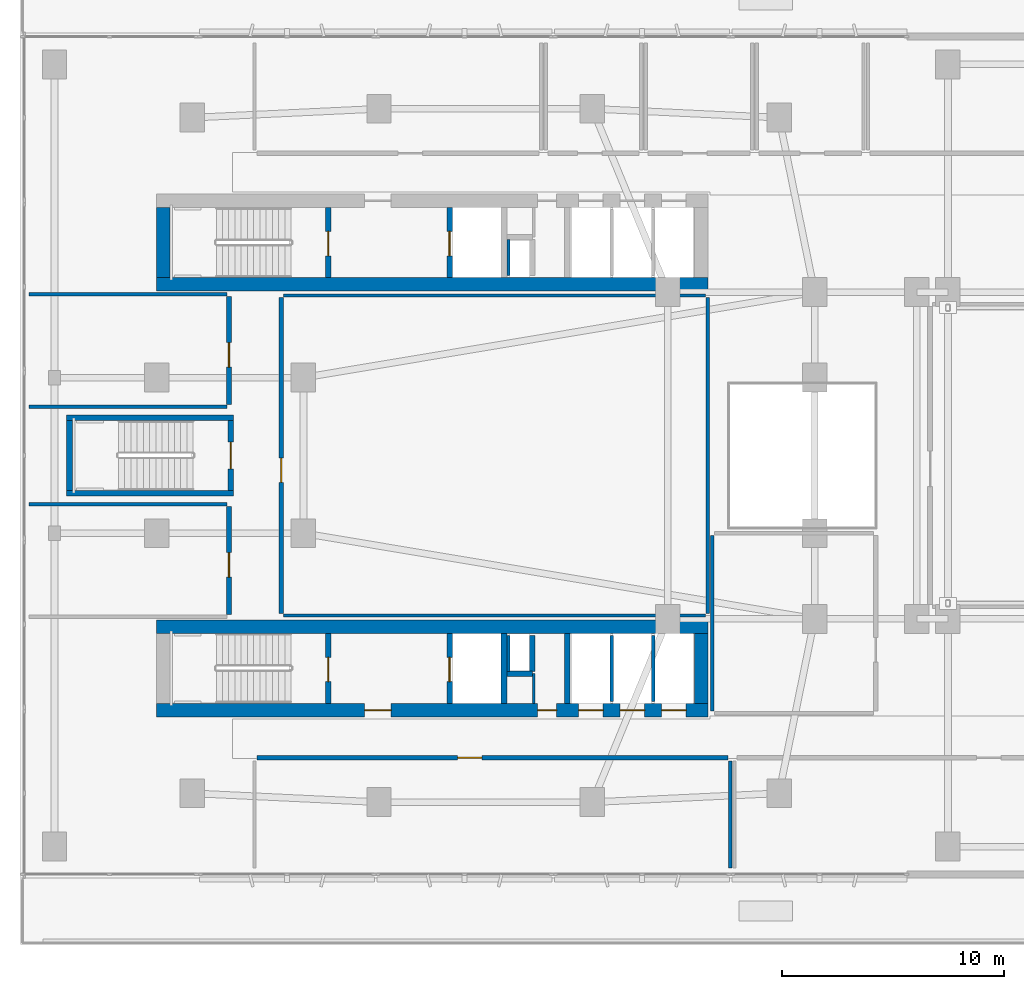
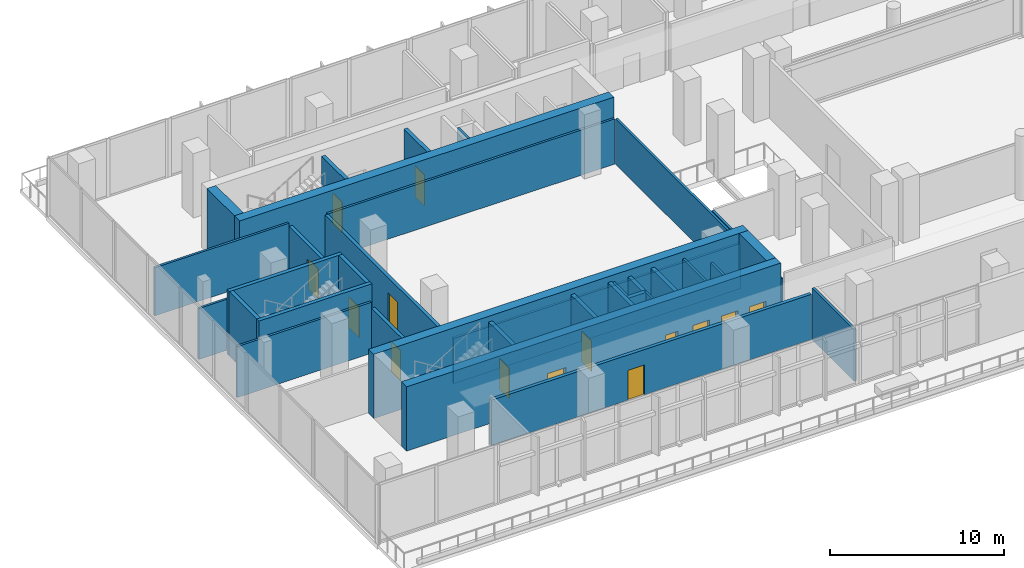
# One storey, part 13 of 31: 34 walls, 14 doors, 14 openings.
"""IFC4 building model written with IfcOpenShell, lengths in metres."""

from ifc_helpers import new_model, si_unit, derived_unit, direction, frame, frame_2d, origin, place, context, subcontext, project, spatial, rectangle, extrude, material, layer, layer_set, type_object, element, fill, save


model = new_model("IFC4")

# Units and contexts
model_context = context("Model", 3, precision=1e-05, world=origin(), true_north=direction((0.0, 1.0)))
body_context = subcontext(model_context, "Body", "Model", "MODEL_VIEW")
ifc_project = project(units=[si_unit("LENGTHUNIT", "METRE"), si_unit("AREAUNIT", "SQUARE_METRE"), si_unit("VOLUMEUNIT", "CUBIC_METRE"), si_unit("PLANEANGLEUNIT", "RADIAN"), si_unit("MASSUNIT", "GRAM", prefix="KILO"), derived_unit("THERMALTRANSMITTANCEUNIT", [(si_unit("POWERUNIT", "WATT"), 1), (si_unit("LENGTHUNIT", "METRE"), -2), (si_unit("THERMODYNAMICTEMPERATUREUNIT", "KELVIN"), -1)])], contexts=[model_context])

# Site, building, storey
site_placement = place(None, origin())
site = spatial("IfcSite", under=ifc_project, at=site_placement, CompositionType="ELEMENT")
building_placement = place(site_placement, origin())
building = spatial("IfcBuilding", under=site, at=building_placement, Name="Kivonza Crest Hotel", CompositionType="ELEMENT")
storey_placement = place(building_placement, frame((0.0, 0.0, 15.0)))
storey = spatial("IfcBuildingStorey", under=building, at=storey_placement, Name="L03", CompositionType="ELEMENT", Elevation=15.0)

# Wall, opening, door
ifc_material_1 = material(Name="Autoclaved aerated concrete blockwork", Category="masonry")
ifc_layer_1 = layer(ifc_material_1, 0.219970703125)
ifc_layer_set_1 = layer_set([ifc_layer_1], Name="Autoclaved aerated concrete blockwork")
wall_type_1 = type_object("IfcWallType", Name="WL-ACOU-220", PredefinedType="SOLIDWALL", material=ifc_layer_set_1)
wall_1_placement = place(storey_placement, frame((11.800048828125, 17.89990234375, 0.0), z_axis=(0.0, 0.0, 1.0), x_axis=(0.0, 1.0, 0.0)))
wall_1 = element("IfcWall", 1, at=wall_1_placement, inside=storey, type_object=wall_type_1, Name="L03 interior partition WA-L03-CONF-A-W", PredefinedType="SOLIDWALL", context=body_context, shape_type="SweptSolid", body=[
    extrude(rectangle(XDim=14.2001953125, YDim=0.219970703125, at=frame_2d((7.10009765625, 0.0))), origin(), (0.0, 0.0, 1.0), 3.175048828125),
])
opening_1_placement = place(wall_1_placement, frame((5.885009765625, 0.0, 0.0)))
opening_1 = element("IfcOpeningElement", 2, at=opening_1_placement, cuts=wall_1, Name="Opening DF-60M", PredefinedType="OPENING", context=body_context, shape_type="SweptSolid", body=[
    extrude(rectangle(XDim=1.10009765625, YDim=2.10009765625, at=frame_2d((0.550048828125, 1.050048828125))), frame((0.0, 0.1201171875, 0.0), z_axis=(0.0, -1.0, 0.0), x_axis=(1.0, 0.0, 0.0)), (0.0, 0.0, 1.0), 0.239990234375),
])
ifc_material_2 = material(Name="Hardwood timber oak", Category="wood")
door_type_1 = type_object("IfcDoorType", Name="DR-FD60-1100", OperationType="NOTDEFINED", PredefinedType="DOOR", material=ifc_material_2)
door_1_placement = place(opening_1_placement, frame((1.10009765625, 0.0, 0.0), z_axis=(0.0, 0.0, 1.0), x_axis=(-1.0, 0.0, 0.0)))
door_1 = element("IfcDoor", 3, at=door_1_placement, inside=storey, type_object=door_type_1, Name="L03 Conference Room A door", OperationType="SINGLE_SWING_LEFT", OverallHeight=2.10009765625, OverallWidth=1.10009765625, PredefinedType="DOOR", context=body_context, shape_type="SweptSolid", body=[
    extrude(rectangle(XDim=1.10009765625, YDim=2.10009765625, at=frame_2d((0.550048828125, 1.050048828125))), frame((0.0, 0.02490234375, 0.0), z_axis=(0.0, -1.0, 0.0), x_axis=(1.0, 0.0, 0.0)), (0.0, 0.0, 1.0), 0.050048828125),
])
fill(opening_1, door_1)

wall_2_placement = place(storey_placement, frame((10.699951171875, 11.39990234375, 0.0), z_axis=(0.0, 0.0, 1.0), x_axis=(1.0, 0.0, 0.0)))
wall_2 = element("IfcWall", 4, at=wall_2_placement, inside=storey, type_object=wall_type_1, Name="L03 interior partition WA-L03-BRD-1-N", PredefinedType="SOLIDWALL", context=body_context, shape_type="SweptSolid", body=[
    extrude(rectangle(XDim=21.199951171875, YDim=0.219970703125, at=frame_2d((10.60009765625, 0.0))), origin(), (0.0, 0.0, 1.0), 3.175048828125),
])
opening_2_placement = place(wall_2_placement, frame((9.034912109375, 0.0, 0.0)))
opening_2 = element("IfcOpeningElement", 5, at=opening_2_placement, cuts=wall_2, Name="Opening DF-60M", PredefinedType="OPENING", context=body_context, shape_type="SweptSolid", body=[
    extrude(rectangle(XDim=1.10009765625, YDim=2.10009765625, at=frame_2d((0.550048828125, 1.050048828125))), frame((0.0, 0.1201171875, 0.0), z_axis=(0.0, -1.0, 0.0), x_axis=(1.0, 0.0, 0.0)), (0.0, 0.0, 1.0), 0.239990234375),
])
door_2_placement = place(opening_2_placement, frame((1.10009765625, 0.0, 0.0), z_axis=(0.0, 0.0, 1.0), x_axis=(-1.0, 0.0, 0.0)))
door_2 = element("IfcDoor", 6, at=door_2_placement, inside=storey, type_object=door_type_1, Name="L03 Executive Summit Boardroom door", OperationType="SINGLE_SWING_LEFT", OverallHeight=2.10009765625, OverallWidth=1.10009765625, PredefinedType="DOOR", context=body_context, shape_type="SweptSolid", body=[
    extrude(rectangle(XDim=1.10009765625, YDim=2.10009765625, at=frame_2d((0.550048828125, 1.050048828125))), frame((0.0, 0.02490234375, 0.0), z_axis=(0.0, -1.0, 0.0), x_axis=(1.0, 0.0, 0.0)), (0.0, 0.0, 1.0), 0.050048828125),
])
fill(opening_2, door_2)

wall_3_placement = place(storey_placement, frame((9.449951171875, 17.85009765625, 0.0), z_axis=(0.0, 0.0, 1.0), x_axis=(0.0, 1.0, 0.0)))
wall_3 = element("IfcWall", 7, at=wall_3_placement, inside=storey, type_object=wall_type_1, Name="L03 interior partition WA-L03-W-SEM3S-E", PredefinedType="SOLIDWALL", context=body_context, shape_type="SweptSolid", body=[
    extrude(rectangle(XDim=4.849853515625, YDim=0.219970703125, at=frame_2d((2.4248046875, 0.0))), origin(), (0.0, 0.0, 1.0), 3.175048828125),
])
opening_3_placement = place(wall_3_placement, frame((1.677978515625, 0.0, 0.0)))
opening_3 = element("IfcOpeningElement", 8, at=opening_3_placement, cuts=wall_3, Name="Opening DF-60M", PredefinedType="OPENING", context=body_context, shape_type="SweptSolid", body=[
    extrude(rectangle(XDim=1.10009765625, YDim=2.10009765625, at=frame_2d((0.550048828125, 1.050048828125))), frame((0.0, 0.1201171875, 0.0), z_axis=(0.0, -1.0, 0.0), x_axis=(1.0, 0.0, 0.0)), (0.0, 0.0, 1.0), 0.239990234375),
])
door_3_placement = place(opening_3_placement, origin())
door_3 = element("IfcDoor", 9, at=door_3_placement, inside=storey, type_object=door_type_1, Name="L03 West Syndicate Room Alpha door", OperationType="SINGLE_SWING_RIGHT", OverallHeight=2.10009765625, OverallWidth=1.10009765625, PredefinedType="DOOR", context=body_context, shape_type="SweptSolid", body=[
    extrude(rectangle(XDim=1.10009765625, YDim=2.10009765625, at=frame_2d((0.550048828125, 1.050048828125))), frame((0.0, 0.02490234375, 0.0), z_axis=(0.0, -1.0, 0.0), x_axis=(1.0, 0.0, 0.0)), (0.0, 0.0, 1.0), 0.050048828125),
])
fill(opening_3, door_3)

wall_4_placement = place(storey_placement, frame((9.449951171875, 27.300048828125, 0.0), z_axis=(0.0, 0.0, 1.0), x_axis=(0.0, 1.0, 0.0)))
wall_4 = element("IfcWall", 10, at=wall_4_placement, inside=storey, type_object=wall_type_1, Name="L03 interior partition WA-L03-W-SEM3N-E", PredefinedType="SOLIDWALL", context=body_context, shape_type="SweptSolid", body=[
    extrude(rectangle(XDim=4.849853515625, YDim=0.219970703125, at=frame_2d((2.4248046875, 0.0))), origin(), (0.0, 0.0, 1.0), 3.175048828125),
])
opening_4_placement = place(wall_4_placement, frame((1.677978515625, 0.0, 0.0)))
opening_4 = element("IfcOpeningElement", 11, at=opening_4_placement, cuts=wall_4, Name="Opening DF-60M", PredefinedType="OPENING", context=body_context, shape_type="SweptSolid", body=[
    extrude(rectangle(XDim=1.10009765625, YDim=2.10009765625, at=frame_2d((0.550048828125, 1.050048828125))), frame((0.0, 0.1201171875, 0.0), z_axis=(0.0, -1.0, 0.0), x_axis=(1.0, 0.0, 0.0)), (0.0, 0.0, 1.0), 0.239990234375),
])
door_4_placement = place(opening_4_placement, origin())
door_4 = element("IfcDoor", 12, at=door_4_placement, inside=storey, type_object=door_type_1, Name="L03 West Syndicate Room Beta door", OperationType="SINGLE_SWING_LEFT", OverallHeight=2.10009765625, OverallWidth=1.10009765625, PredefinedType="DOOR", context=body_context, shape_type="SweptSolid", body=[
    extrude(rectangle(XDim=1.10009765625, YDim=2.10009765625, at=frame_2d((0.550048828125, 1.050048828125))), frame((0.0, 0.02490234375, 0.0), z_axis=(0.0, -1.0, 0.0), x_axis=(1.0, 0.0, 0.0)), (0.0, 0.0, 1.0), 0.050048828125),
])
fill(opening_4, door_4)

# Walls
ifc_material_3 = material(Name="Concrete C60/75", Category="concrete")
ifc_layer_2 = layer(ifc_material_3, 0.60009765625)
ifc_layer_set_2 = layer_set([ifc_layer_2], Name="Concrete C60/75")
wall_type_2 = type_object("IfcWallType", Name="WL-CORE-600", PredefinedType="SHEAR", material=ifc_layer_set_2)
wall_5_placement = place(storey_placement, frame((6.199951171875, 32.699951171875, 0.0), z_axis=(0.0, 0.0, 1.0), x_axis=(1.0, 0.0, 0.0)))
element("IfcWall", 13, at=wall_5_placement, inside=storey, type_object=wall_type_2, Name="Core wall T1-N South L03", PredefinedType="SHEAR", context=body_context, shape_type="SweptSolid", body=[
    extrude(rectangle(XDim=24.800048828125, YDim=0.60009765625, at=frame_2d((12.39990234375, 0.0))), origin(), (0.0, 0.0, 1.0), 4.5),
])
wall_6_placement = place(storey_placement, frame((6.5, 33.0, 0.0), z_axis=(0.0, 0.0, 1.0), x_axis=(0.0, 1.0, 0.0)))
element("IfcWall", 14, at=wall_6_placement, inside=storey, type_object=wall_type_2, Name="Core wall T1-N West L03", PredefinedType="SHEAR", context=body_context, shape_type="SweptSolid", body=[
    extrude(rectangle(XDim=3.159912109375, YDim=0.60009765625, at=frame_2d((1.580078125, 0.0))), origin(), (0.0, 0.0, 1.0), 4.5),
])

# Wall, openings, doors
wall_7_placement = place(storey_placement, frame((6.199951171875, 13.5400390625, 0.0), z_axis=(0.0, 0.0, 1.0), x_axis=(1.0, 0.0, 0.0)))
wall_7 = element("IfcWall", 15, at=wall_7_placement, inside=storey, type_object=wall_type_2, Name="Core wall T1-S South L03", PredefinedType="SHEAR", context=body_context, shape_type="SweptSolid", body=[
    extrude(rectangle(XDim=24.800048828125, YDim=0.60009765625, at=frame_2d((12.39990234375, 0.0))), origin(), (0.0, 0.0, 1.0), 4.5),
])
opening_5_placement = place(wall_7_placement, frame((9.35009765625, 0.0, 0.0)))
opening_5 = element("IfcOpeningElement", 16, at=opening_5_placement, cuts=wall_7, Name="Opening DF-60", PredefinedType="OPENING", context=body_context, shape_type="SweptSolid", body=[
    extrude(rectangle(XDim=1.199951171875, YDim=2.14990234375, at=frame_2d((0.60009765625, 1.074951171875))), frame((0.0, 0.31005859375, 0.0), z_axis=(0.0, -1.0, 0.0), x_axis=(1.0, 0.0, 0.0)), (0.0, 0.0, 1.0), 0.6201171875),
])
opening_6_placement = place(wall_7_placement, frame((17.139892578125, 0.0, 0.0)))
opening_6 = element("IfcOpeningElement", 17, at=opening_6_placement, cuts=wall_7, Name="Opening DF-60R", PredefinedType="OPENING", context=body_context, shape_type="SweptSolid", body=[
    extrude(rectangle(XDim=0.85009765625, YDim=2.10009765625, at=frame_2d((0.425048828125, 1.050048828125))), frame((0.0, 0.31005859375, 0.0), z_axis=(0.0, -1.0, 0.0), x_axis=(1.0, 0.0, 0.0)), (0.0, 0.0, 1.0), 0.6201171875),
])
opening_7_placement = place(wall_7_placement, frame((18.98291015625, 0.0, 0.0)))
opening_7 = element("IfcOpeningElement", 18, at=opening_7_placement, cuts=wall_7, Name="Opening LD-120", PredefinedType="OPENING", context=body_context, shape_type="SweptSolid", body=[
    extrude(rectangle(XDim=1.10009765625, YDim=2.14990234375, at=frame_2d((0.550048828125, 1.074951171875))), frame((0.0, 0.31005859375, 0.0), z_axis=(0.0, -1.0, 0.0), x_axis=(1.0, 0.0, 0.0)), (0.0, 0.0, 1.0), 0.6201171875),
])
opening_8_placement = place(wall_7_placement, frame((20.85009765625, 0.0, 0.0)))
opening_8 = element("IfcOpeningElement", 19, at=opening_8_placement, cuts=wall_7, Name="Opening LD-120", PredefinedType="OPENING", context=body_context, shape_type="SweptSolid", body=[
    extrude(rectangle(XDim=1.10009765625, YDim=2.14990234375, at=frame_2d((0.550048828125, 1.074951171875))), frame((0.0, 0.31005859375, 0.0), z_axis=(0.0, -1.0, 0.0), x_axis=(1.0, 0.0, 0.0)), (0.0, 0.0, 1.0), 0.6201171875),
])
opening_9_placement = place(wall_7_placement, frame((22.716064453125, 0.0, 0.0)))
opening_9 = element("IfcOpeningElement", 20, at=opening_9_placement, cuts=wall_7, Name="Opening LD-120", PredefinedType="OPENING", context=body_context, shape_type="SweptSolid", body=[
    extrude(rectangle(XDim=1.10009765625, YDim=2.14990234375, at=frame_2d((0.550048828125, 1.074951171875))), frame((0.0, 0.31005859375, 0.0), z_axis=(0.0, -1.0, 0.0), x_axis=(1.0, 0.0, 0.0)), (0.0, 0.0, 1.0), 0.6201171875),
])
door_type_2 = type_object("IfcDoorType", Name="DR-FD60-1200", OperationType="NOTDEFINED", PredefinedType="DOOR", material=ifc_material_2)
door_5_placement = place(opening_5_placement, frame((1.199951171875, 0.0, 0.0), z_axis=(0.0, 0.0, 1.0), x_axis=(-1.0, 0.0, 0.0)))
door_5 = element("IfcDoor", 21, at=door_5_placement, inside=storey, type_object=door_type_2, Name="L03 T1-S firefighting lobby fire door", OperationType="SINGLE_SWING_LEFT", OverallHeight=2.14990234375, OverallWidth=1.199951171875, PredefinedType="DOOR", context=body_context, shape_type="SweptSolid", body=[
    extrude(rectangle(XDim=1.199951171875, YDim=2.14990234375, at=frame_2d((0.60009765625, 1.074951171875))), frame((0.0, 0.02490234375, 0.0), z_axis=(0.0, -1.0, 0.0), x_axis=(1.0, 0.0, 0.0)), (0.0, 0.0, 1.0), 0.050048828125),
])
fill(opening_5, door_5)
door_type_3 = type_object("IfcDoorType", Name="DR-FD60-850", OperationType="NOTDEFINED", PredefinedType="DOOR", material=ifc_material_2)
door_6_placement = place(opening_6_placement, frame((0.85009765625, 0.0, 0.0), z_axis=(0.0, 0.0, 1.0), x_axis=(-1.0, 0.0, 0.0)))
door_6 = element("IfcDoor", 22, at=door_6_placement, inside=storey, type_object=door_type_3, Name="L03 T1-S core room door", OperationType="SINGLE_SWING_RIGHT", OverallHeight=2.10009765625, OverallWidth=0.85009765625, PredefinedType="DOOR", context=body_context, shape_type="SweptSolid", body=[
    extrude(rectangle(XDim=0.85009765625, YDim=2.10009765625, at=frame_2d((0.425048828125, 1.050048828125))), frame((0.0, 0.02490234375, 0.0), z_axis=(0.0, -1.0, 0.0), x_axis=(1.0, 0.0, 0.0)), (0.0, 0.0, 1.0), 0.050048828125),
])
fill(opening_6, door_6)
ifc_material_4 = material(Name="Stainless steel", Category="steel")
door_type_4 = type_object("IfcDoorType", Name="DR-LD120-1100", OperationType="NOTDEFINED", PredefinedType="DOOR", material=ifc_material_4)
door_7_placement = place(opening_7_placement, frame((1.10009765625, 0.0, 0.0), z_axis=(0.0, 0.0, 1.0), x_axis=(-1.0, 0.0, 0.0)))
door_7 = element("IfcDoor", 23, at=door_7_placement, inside=storey, type_object=door_type_4, Name="L03 PL-T1-H1 passenger lift sliding landing door", OperationType="DOUBLE_DOOR_SLIDING", OverallHeight=2.14990234375, OverallWidth=1.10009765625, PredefinedType="DOOR", context=body_context, shape_type="SweptSolid", body=[
    extrude(rectangle(XDim=1.10009765625, YDim=2.14990234375, at=frame_2d((0.550048828125, 1.074951171875))), frame((0.0, 0.02490234375, 0.0), z_axis=(0.0, -1.0, 0.0), x_axis=(1.0, 0.0, 0.0)), (0.0, 0.0, 1.0), 0.050048828125),
])
fill(opening_7, door_7)
door_8_placement = place(opening_8_placement, frame((1.10009765625, 0.0, 0.0), z_axis=(0.0, 0.0, 1.0), x_axis=(-1.0, 0.0, 0.0)))
door_8 = element("IfcDoor", 24, at=door_8_placement, inside=storey, type_object=door_type_4, Name="L03 PL-T1-H2 passenger lift sliding landing door", OperationType="DOUBLE_DOOR_SLIDING", OverallHeight=2.14990234375, OverallWidth=1.10009765625, PredefinedType="DOOR", context=body_context, shape_type="SweptSolid", body=[
    extrude(rectangle(XDim=1.10009765625, YDim=2.14990234375, at=frame_2d((0.550048828125, 1.074951171875))), frame((0.0, 0.02490234375, 0.0), z_axis=(0.0, -1.0, 0.0), x_axis=(1.0, 0.0, 0.0)), (0.0, 0.0, 1.0), 0.050048828125),
])
fill(opening_8, door_8)
door_9_placement = place(opening_9_placement, frame((1.10009765625, 0.0, 0.0), z_axis=(0.0, 0.0, 1.0), x_axis=(-1.0, 0.0, 0.0)))
door_9 = element("IfcDoor", 25, at=door_9_placement, inside=storey, type_object=door_type_4, Name="L03 PL-T1-H3 passenger lift sliding landing door", OperationType="DOUBLE_DOOR_SLIDING", OverallHeight=2.14990234375, OverallWidth=1.10009765625, PredefinedType="DOOR", context=body_context, shape_type="SweptSolid", body=[
    extrude(rectangle(XDim=1.10009765625, YDim=2.14990234375, at=frame_2d((0.550048828125, 1.074951171875))), frame((0.0, 0.02490234375, 0.0), z_axis=(0.0, -1.0, 0.0), x_axis=(1.0, 0.0, 0.0)), (0.0, 0.0, 1.0), 0.050048828125),
])
fill(opening_9, door_9)

# Walls
wall_8_placement = place(storey_placement, frame((6.199951171875, 17.300048828125, 0.0), z_axis=(0.0, 0.0, 1.0), x_axis=(1.0, 0.0, 0.0)))
element("IfcWall", 26, at=wall_8_placement, inside=storey, type_object=wall_type_2, Name="Core wall T1-S North L03", PredefinedType="SHEAR", context=body_context, shape_type="SweptSolid", body=[
    extrude(rectangle(XDim=24.800048828125, YDim=0.60009765625, at=frame_2d((12.39990234375, 0.0))), origin(), (0.0, 0.0, 1.0), 4.5),
])
wall_9_placement = place(storey_placement, frame((30.699951171875, 13.840087890625, 0.0), z_axis=(0.0, 0.0, 1.0), x_axis=(0.0, 1.0, 0.0)))
element("IfcWall", 27, at=wall_9_placement, inside=storey, type_object=wall_type_2, Name="Core wall T1-S East L03", PredefinedType="SHEAR", context=body_context, shape_type="SweptSolid", body=[
    extrude(rectangle(XDim=3.159912109375, YDim=0.60009765625, at=frame_2d((1.580078125, 0.0))), origin(), (0.0, 0.0, 1.0), 4.5),
])
ifc_material_5 = material(Name="Concrete blockwork fire-compartment wall", Category="masonry")
ifc_layer_3 = layer(ifc_material_5, 0.25)
ifc_layer_set_3 = layer_set([ifc_layer_3], Name="Concrete blockwork fire-compartment wall")
wall_type_3 = type_object("IfcWallType", Name="WL-FIRE-250", PredefinedType="SOLIDWALL", material=ifc_layer_set_3)
wall_10_placement = place(storey_placement, frame((23.10009765625, 15.280029296875, 0.0), z_axis=(0.0, 0.0, 1.0), x_axis=(0.0, 1.0, 0.0)))
element("IfcWall", 28, at=wall_10_placement, inside=storey, type_object=wall_type_3, Name="L03 interior partition WA-L03-T1-S-MEPR-E", PredefinedType="SOLIDWALL", context=body_context, shape_type="SweptSolid", body=[
    extrude(rectangle(XDim=1.619873046875, YDim=0.25, at=frame_2d((0.81005859375, 0.0))), origin(), (0.0, 0.0, 1.0), 4.10009765625),
])
wall_11_placement = place(storey_placement, frame((21.949951171875, 15.179931640625, 0.0), z_axis=(0.0, 0.0, 1.0), x_axis=(1.0, 0.0, 0.0)))
element("IfcWall", 29, at=wall_11_placement, inside=storey, type_object=wall_type_3, Name="L03 interior partition WA-L03-T1-S-MEPR-H", PredefinedType="SOLIDWALL", context=body_context, shape_type="SweptSolid", body=[
    extrude(rectangle(XDim=1.150146484375, YDim=0.25, at=frame_2d((0.5751953125, 0.0))), origin(), (0.0, 0.0, 1.0), 4.10009765625),
])
ifc_material_6 = material(Name="Metal-stud gypsum board partition", Category="gypsum")
ifc_layer_4 = layer(ifc_material_6, 0.125)
ifc_layer_set_4 = layer_set([ifc_layer_4], Name="Metal-stud gypsum board partition")
wall_type_4 = type_object("IfcWallType", Name="WL-PART-125", PredefinedType="PARTITIONING", material=ifc_layer_set_4)
wall_12_placement = place(storey_placement, frame((23.159912109375, 13.840087890625, 0.0), z_axis=(0.0, 0.0, 1.0), x_axis=(0.0, 1.0, 0.0)))
element("IfcWall", 30, at=wall_12_placement, inside=storey, type_object=wall_type_4, Name="L03 interior partition WP-L03-T1-S-SV1V", PredefinedType="PARTITIONING", context=body_context, shape_type="SweptSolid", body=[
    extrude(rectangle(XDim=1.33984375, YDim=0.125, at=frame_2d((0.669921875, 0.0))), origin(), (0.0, 0.0, 1.0), 4.10009765625),
])
ifc_material_7 = material(Name="Twin-stud acoustic gypsum board partition", Category="gypsum")
ifc_layer_5 = layer(ifc_material_7, 0.14990234375)
ifc_layer_set_5 = layer_set([ifc_layer_5], Name="Twin-stud acoustic gypsum board partition")
wall_type_5 = type_object("IfcWallType", Name="WL-PART-150", PredefinedType="PARTITIONING", material=ifc_layer_set_5)
for number, where, z_axis, x_axis, name in (
    (31, (22.030029296875, 33.10009765625, 0.0), (0.0, 0.0, 1.0), (0.0, 1.0, 0.0), "L03 interior partition WA-L03-T1-N-MEPR-W"),
    (32, (22.030029296875, 15.280029296875, 0.0), (0.0, 0.0, 1.0), (0.0, 1.0, 0.0), "L03 interior partition WA-L03-T1-S-MEPR-W"),
):
    element("IfcWall", number, at=place(storey_placement, frame(where, z_axis=z_axis, x_axis=x_axis)), inside=storey, type_object=wall_type_5, Name=name, PredefinedType="PARTITIONING", context=body_context, shape_type="SweptSolid", body=[
        extrude(rectangle(XDim=1.619873046875, YDim=0.14990234375, at=frame_2d((0.81005859375, 0.0))), origin(), (0.0, 0.0, 1.0), 4.10009765625),
    ])
wall_13_placement = place(storey_placement, frame((26.6669921875, 13.93994140625, 0.0), z_axis=(0.0, 0.0, 1.0), x_axis=(0.0, 1.0, 0.0)))
element("IfcWall", 33, at=wall_13_placement, inside=storey, type_object=wall_type_5, Name="L03 interior partition WP-L03-T1-S-BSH-1", PredefinedType="PARTITIONING", context=body_context, shape_type="SweptSolid", body=[
    extrude(rectangle(XDim=2.9599609375, YDim=0.14990234375, at=frame_2d((1.47998046875, 0.0))), origin(), (0.0, 0.0, 1.0), 4.10009765625),
])
wall_14_placement = place(storey_placement, frame((28.532958984375, 13.93994140625, 0.0), z_axis=(0.0, 0.0, 1.0), x_axis=(0.0, 1.0, 0.0)))
element("IfcWall", 34, at=wall_14_placement, inside=storey, type_object=wall_type_5, Name="L03 interior partition WP-L03-T1-S-BSH-2", PredefinedType="PARTITIONING", context=body_context, shape_type="SweptSolid", body=[
    extrude(rectangle(XDim=2.9599609375, YDim=0.14990234375, at=frame_2d((1.47998046875, 0.0))), origin(), (0.0, 0.0, 1.0), 3.175048828125),
])
wall_15_placement = place(storey_placement, frame((31.0, 17.89990234375, 0.0), z_axis=(0.0, 0.0, 1.0), x_axis=(0.0, 1.0, 0.0)))
element("IfcWall", 35, at=wall_15_placement, inside=storey, type_object=wall_type_5, Name="L03 interior partition WP-L03-CONF-A-BE", PredefinedType="PARTITIONING", context=body_context, shape_type="SweptSolid", body=[
    extrude(rectangle(XDim=14.2001953125, YDim=0.14990234375, at=frame_2d((7.10009765625, 0.0))), origin(), (0.0, 0.0, 1.0), 3.175048828125),
])
for number, where, z_axis, x_axis, name in (
    (36, (11.89990234375, 17.800048828125, 0.0), (0.0, 0.0, 1.0), (1.0, 0.0, 0.0), "L03 interior partition WP-L03-CONF-A-BS"),
    (37, (11.89990234375, 32.199951171875, 0.0), (0.0, 0.0, 1.0), (1.0, 0.0, 0.0), "L03 interior partition WP-L03-CONF-A-BN"),
):
    element("IfcWall", number, at=place(storey_placement, frame(where, z_axis=z_axis, x_axis=x_axis)), inside=storey, type_object=wall_type_5, Name=name, PredefinedType="PARTITIONING", context=body_context, shape_type="SweptSolid", body=[
        extrude(rectangle(XDim=19.0, YDim=0.14990234375, at=frame_2d((9.5, 0.0))), origin(), (0.0, 0.0, 1.0), 3.175048828125),
    ])
wall_16_placement = place(storey_placement, frame((31.199951171875, 13.5, 0.0), z_axis=(0.0, 0.0, 1.0), x_axis=(0.0, 1.0, 0.0)))
element("IfcWall", 38, at=wall_16_placement, inside=storey, type_object=wall_type_5, Name="L03 interior partition WP-L03-CONF-B-BW", PredefinedType="PARTITIONING", context=body_context, shape_type="SweptSolid", body=[
    extrude(rectangle(XDim=7.89990234375, YDim=0.14990234375, at=frame_2d((3.949951171875, 0.0))), origin(), (0.0, 0.0, 1.0), 3.175048828125),
])
wall_17_placement = place(storey_placement, frame((32.0, 6.449951171875, 0.0), z_axis=(0.0, 0.0, 1.0), x_axis=(0.0, 1.0, 0.0)))
element("IfcWall", 39, at=wall_17_placement, inside=storey, type_object=wall_type_5, Name="L03 interior partition WP-L03-BRD-1-BE", PredefinedType="PARTITIONING", context=body_context, shape_type="SweptSolid", body=[
    extrude(rectangle(XDim=4.800048828125, YDim=0.14990234375, at=frame_2d((2.39990234375, 0.0))), origin(), (0.0, 0.0, 1.0), 3.625),
])
for number, where, z_axis, x_axis, name in (
    (40, (0.449951171875, 22.800048828125, 0.0), (0.0, 0.0, 1.0), (1.0, 0.0, 0.0), "L03 interior partition WP-L03-W-SEM3S-BN"),
    (41, (0.449951171875, 27.199951171875, 0.0), (0.0, 0.0, 1.0), (1.0, 0.0, 0.0), "L03 interior partition WP-L03-W-SEM3N-BS"),
):
    element("IfcWall", number, at=place(storey_placement, frame(where, z_axis=z_axis, x_axis=x_axis)), inside=storey, type_object=wall_type_5, Name=name, PredefinedType="PARTITIONING", context=body_context, shape_type="SweptSolid", body=[
        extrude(rectangle(XDim=8.900146484375, YDim=0.14990234375, at=frame_2d((4.4501953125, 0.0))), origin(), (0.0, 0.0, 1.0), 3.574951171875),
    ])
wall_18_placement = place(storey_placement, frame((0.449951171875, 32.25, 0.0), z_axis=(0.0, 0.0, 1.0), x_axis=(1.0, 0.0, 0.0)))
element("IfcWall", 42, at=wall_18_placement, inside=storey, type_object=wall_type_5, Name="L03 interior partition WP-L03-W-SEM3N-BN", PredefinedType="PARTITIONING", context=body_context, shape_type="SweptSolid", body=[
    extrude(rectangle(XDim=8.900146484375, YDim=0.14990234375, at=frame_2d((4.4501953125, 0.0))), origin(), (0.0, 0.0, 1.0), 3.375),
])

# Wall, opening, door
ifc_material_8 = material(Name="Concrete C50/60", Category="concrete")
ifc_layer_6 = layer(ifc_material_8, 0.25)
ifc_layer_set_6 = layer_set([ifc_layer_6], Name="Concrete C50/60")
wall_type_6 = type_object("IfcWallType", Name="WL-SHAFT-250", PredefinedType="STANDARD", material=ifc_layer_set_6)
wall_19_placement = place(storey_placement, frame((13.925048828125, 33.0, 0.0), z_axis=(0.0, 0.0, 1.0), x_axis=(0.0, 1.0, 0.0)))
wall_19 = element("IfcWall", 43, at=wall_19_placement, inside=storey, type_object=wall_type_6, Name="Core shaft wall T1-N STAIR L03", PredefinedType="STANDARD", context=body_context, shape_type="SweptSolid", body=[
    extrude(rectangle(XDim=3.159912109375, YDim=0.25, at=frame_2d((1.580078125, 0.0))), origin(), (0.0, 0.0, 1.0), 4.10009765625),
])
opening_10_placement = place(wall_19_placement, frame((0.97998046875, 0.0, 0.0)))
opening_10 = element("IfcOpeningElement", 44, at=opening_10_placement, cuts=wall_19, Name="Opening DF-120", PredefinedType="OPENING", context=body_context, shape_type="SweptSolid", body=[
    extrude(rectangle(XDim=1.10009765625, YDim=2.14990234375, at=frame_2d((0.550048828125, 1.074951171875))), frame((0.0, 0.135009765625, 0.0), z_axis=(0.0, -1.0, 0.0), x_axis=(1.0, 0.0, 0.0)), (0.0, 0.0, 1.0), 0.27001953125),
])
ifc_material_9 = material(Name="Galvanised steel", Category="steel")
door_type_5 = type_object("IfcDoorType", Name="DR-FD120-1100", OperationType="NOTDEFINED", PredefinedType="DOOR", material=ifc_material_9)
door_10_placement = place(opening_10_placement, frame((1.10009765625, 0.0, 0.0), z_axis=(0.0, 0.0, 1.0), x_axis=(-1.0, 0.0, 0.0)))
door_10 = element("IfcDoor", 45, at=door_10_placement, inside=storey, type_object=door_type_5, Name="L03 T1-N stair fire door", OperationType="SINGLE_SWING_LEFT", OverallHeight=2.14990234375, OverallWidth=1.10009765625, PredefinedType="DOOR", context=body_context, shape_type="SweptSolid", body=[
    extrude(rectangle(XDim=1.10009765625, YDim=2.14990234375, at=frame_2d((0.550048828125, 1.074951171875))), frame((0.0, 0.02490234375, 0.0), z_axis=(0.0, -1.0, 0.0), x_axis=(1.0, 0.0, 0.0)), (0.0, 0.0, 1.0), 0.050048828125),
])
fill(opening_10, door_10)

wall_20_placement = place(storey_placement, frame((19.375, 33.0, 0.0), z_axis=(0.0, 0.0, 1.0), x_axis=(0.0, 1.0, 0.0)))
wall_20 = element("IfcWall", 46, at=wall_20_placement, inside=storey, type_object=wall_type_6, Name="Core shaft wall T1-N FFL-W L03", PredefinedType="STANDARD", context=body_context, shape_type="SweptSolid", body=[
    extrude(rectangle(XDim=3.159912109375, YDim=0.25, at=frame_2d((1.580078125, 0.0))), origin(), (0.0, 0.0, 1.0), 4.10009765625),
])
opening_11_placement = place(wall_20_placement, frame((0.97998046875, 0.0, 0.0)))
opening_11 = element("IfcOpeningElement", 47, at=opening_11_placement, cuts=wall_20, Name="Opening LD-120", PredefinedType="OPENING", context=body_context, shape_type="SweptSolid", body=[
    extrude(rectangle(XDim=1.10009765625, YDim=2.14990234375, at=frame_2d((0.550048828125, 1.074951171875))), frame((0.0, 0.135009765625, 0.0), z_axis=(0.0, -1.0, 0.0), x_axis=(1.0, 0.0, 0.0)), (0.0, 0.0, 1.0), 0.27001953125),
])
door_11_placement = place(opening_11_placement, origin())
door_11 = element("IfcDoor", 48, at=door_11_placement, inside=storey, type_object=door_type_4, Name="L03 FFL-T1-N firefighting lift sliding landing door", OperationType="DOUBLE_DOOR_SLIDING", OverallHeight=2.14990234375, OverallWidth=1.10009765625, PredefinedType="DOOR", context=body_context, shape_type="SweptSolid", body=[
    extrude(rectangle(XDim=1.10009765625, YDim=2.14990234375, at=frame_2d((0.550048828125, 1.074951171875))), frame((0.0, 0.02490234375, 0.0), z_axis=(0.0, -1.0, 0.0), x_axis=(1.0, 0.0, 0.0)), (0.0, 0.0, 1.0), 0.050048828125),
])
fill(opening_11, door_11)

wall_21_placement = place(storey_placement, frame((13.925048828125, 13.840087890625, 0.0), z_axis=(0.0, 0.0, 1.0), x_axis=(0.0, 1.0, 0.0)))
wall_21 = element("IfcWall", 49, at=wall_21_placement, inside=storey, type_object=wall_type_6, Name="Core shaft wall T1-S STAIR L03", PredefinedType="STANDARD", context=body_context, shape_type="SweptSolid", body=[
    extrude(rectangle(XDim=3.159912109375, YDim=0.25, at=frame_2d((1.580078125, 0.0))), origin(), (0.0, 0.0, 1.0), 4.10009765625),
])
opening_12_placement = place(wall_21_placement, frame((0.97998046875, 0.0, 0.0)))
opening_12 = element("IfcOpeningElement", 50, at=opening_12_placement, cuts=wall_21, Name="Opening DF-120", PredefinedType="OPENING", context=body_context, shape_type="SweptSolid", body=[
    extrude(rectangle(XDim=1.10009765625, YDim=2.14990234375, at=frame_2d((0.550048828125, 1.074951171875))), frame((0.0, 0.135009765625, 0.0), z_axis=(0.0, -1.0, 0.0), x_axis=(1.0, 0.0, 0.0)), (0.0, 0.0, 1.0), 0.27001953125),
])
door_12_placement = place(opening_12_placement, frame((1.10009765625, 0.0, 0.0), z_axis=(0.0, 0.0, 1.0), x_axis=(-1.0, 0.0, 0.0)))
door_12 = element("IfcDoor", 51, at=door_12_placement, inside=storey, type_object=door_type_5, Name="L03 T1-S stair fire door", OperationType="SINGLE_SWING_RIGHT", OverallHeight=2.14990234375, OverallWidth=1.10009765625, PredefinedType="DOOR", context=body_context, shape_type="SweptSolid", body=[
    extrude(rectangle(XDim=1.10009765625, YDim=2.14990234375, at=frame_2d((0.550048828125, 1.074951171875))), frame((0.0, 0.02490234375, 0.0), z_axis=(0.0, -1.0, 0.0), x_axis=(1.0, 0.0, 0.0)), (0.0, 0.0, 1.0), 0.050048828125),
])
fill(opening_12, door_12)

wall_22_placement = place(storey_placement, frame((19.375, 13.840087890625, 0.0), z_axis=(0.0, 0.0, 1.0), x_axis=(0.0, 1.0, 0.0)))
wall_22 = element("IfcWall", 52, at=wall_22_placement, inside=storey, type_object=wall_type_6, Name="Core shaft wall T1-S FFL-W L03", PredefinedType="STANDARD", context=body_context, shape_type="SweptSolid", body=[
    extrude(rectangle(XDim=3.159912109375, YDim=0.25, at=frame_2d((1.580078125, 0.0))), origin(), (0.0, 0.0, 1.0), 4.10009765625),
])
opening_13_placement = place(wall_22_placement, frame((0.97998046875, 0.0, 0.0)))
opening_13 = element("IfcOpeningElement", 53, at=opening_13_placement, cuts=wall_22, Name="Opening LD-120", PredefinedType="OPENING", context=body_context, shape_type="SweptSolid", body=[
    extrude(rectangle(XDim=1.10009765625, YDim=2.14990234375, at=frame_2d((0.550048828125, 1.074951171875))), frame((0.0, 0.135009765625, 0.0), z_axis=(0.0, -1.0, 0.0), x_axis=(1.0, 0.0, 0.0)), (0.0, 0.0, 1.0), 0.27001953125),
])
door_13_placement = place(opening_13_placement, origin())
door_13 = element("IfcDoor", 54, at=door_13_placement, inside=storey, type_object=door_type_4, Name="L03 FFL-T1-S firefighting lift sliding landing door", OperationType="DOUBLE_DOOR_SLIDING", OverallHeight=2.14990234375, OverallWidth=1.10009765625, PredefinedType="DOOR", context=body_context, shape_type="SweptSolid", body=[
    extrude(rectangle(XDim=1.10009765625, YDim=2.14990234375, at=frame_2d((0.550048828125, 1.074951171875))), frame((0.0, 0.02490234375, 0.0), z_axis=(0.0, -1.0, 0.0), x_axis=(1.0, 0.0, 0.0)), (0.0, 0.0, 1.0), 0.050048828125),
])
fill(opening_13, door_13)

# Walls
for number, where, z_axis, x_axis, name in (
    (55, (21.824951171875, 13.840087890625, 0.0), (0.0, 0.0, 1.0), (0.0, 1.0, 0.0), "Core shaft wall T1-S FFL-E L03"),
    (56, (24.675048828125, 13.840087890625, 0.0), (0.0, 0.0, 1.0), (0.0, 1.0, 0.0), "Core shaft wall T1-S BANK-W L03"),
):
    element("IfcWall", number, at=place(storey_placement, frame(where, z_axis=z_axis, x_axis=x_axis)), inside=storey, type_object=wall_type_6, Name=name, PredefinedType="STANDARD", context=body_context, shape_type="SweptSolid", body=[
        extrude(rectangle(XDim=3.159912109375, YDim=0.25, at=frame_2d((1.580078125, 0.0))), origin(), (0.0, 0.0, 1.0), 4.10009765625),
    ])
for number, where, z_axis, x_axis, name in (
    (57, (2.14990234375, 23.294921875, 0.0), (0.0, 0.0, 1.0), (1.0, 0.0, 0.0), "Podium stair enclosure wall ST-POD-W S L03"),
    (58, (2.14990234375, 26.705078125, 0.0), (0.0, 0.0, 1.0), (1.0, 0.0, 0.0), "Podium stair enclosure wall ST-POD-W N L03"),
):
    element("IfcWall", number, at=place(storey_placement, frame(where, z_axis=z_axis, x_axis=x_axis)), inside=storey, type_object=wall_type_6, Name=name, PredefinedType="STANDARD", context=body_context, shape_type="SweptSolid", body=[
        extrude(rectangle(XDim=7.5, YDim=0.25, at=frame_2d((3.75, 0.0))), origin(), (0.0, 0.0, 1.0), 4.5),
    ])
wall_23_placement = place(storey_placement, frame((2.27490234375, 23.419921875, 0.0), z_axis=(0.0, 0.0, 1.0), x_axis=(0.0, 1.0, 0.0)))
element("IfcWall", 59, at=wall_23_placement, inside=storey, type_object=wall_type_6, Name="Podium stair enclosure wall ST-POD-W W L03", PredefinedType="STANDARD", context=body_context, shape_type="SweptSolid", body=[
    extrude(rectangle(XDim=3.16015625, YDim=0.25, at=frame_2d((1.580078125, 0.0))), origin(), (0.0, 0.0, 1.0), 4.5),
])

# Wall, opening, door
wall_24_placement = place(storey_placement, frame((9.52490234375, 23.419921875, 0.0), z_axis=(0.0, 0.0, 1.0), x_axis=(0.0, 1.0, 0.0)))
wall_24 = element("IfcWall", 60, at=wall_24_placement, inside=storey, type_object=wall_type_6, Name="Podium stair enclosure wall ST-POD-W E L03", PredefinedType="STANDARD", context=body_context, shape_type="SweptSolid", body=[
    extrude(rectangle(XDim=3.16015625, YDim=0.25, at=frame_2d((1.580078125, 0.0))), origin(), (0.0, 0.0, 1.0), 4.5),
])
opening_14_placement = place(wall_24_placement, frame((0.97998046875, 0.0, 0.0)))
opening_14 = element("IfcOpeningElement", 61, at=opening_14_placement, cuts=wall_24, Name="Opening DF-120W", PredefinedType="OPENING", context=body_context, shape_type="SweptSolid", body=[
    extrude(rectangle(XDim=1.199951171875, YDim=2.14990234375, at=frame_2d((0.60009765625, 1.074951171875))), frame((0.0, 0.135009765625, 0.0), z_axis=(0.0, -1.0, 0.0), x_axis=(1.0, 0.0, 0.0)), (0.0, 0.0, 1.0), 0.27001953125),
])
door_type_6 = type_object("IfcDoorType", Name="DR-FD120-1200", OperationType="NOTDEFINED", PredefinedType="DOOR", material=ifc_material_9)
door_14_placement = place(opening_14_placement, frame((1.199951171875, 0.0, 0.0), z_axis=(0.0, 0.0, 1.0), x_axis=(-1.0, 0.0, 0.0)))
door_14 = element("IfcDoor", 62, at=door_14_placement, inside=storey, type_object=door_type_6, Name="L03 ST-POD-W podium stair fire door", OperationType="SINGLE_SWING_LEFT", OverallHeight=2.14990234375, OverallWidth=1.199951171875, PredefinedType="DOOR", context=body_context, shape_type="SweptSolid", body=[
    extrude(rectangle(XDim=1.199951171875, YDim=2.14990234375, at=frame_2d((0.60009765625, 1.074951171875))), frame((0.0, 0.02490234375, 0.0), z_axis=(0.0, -1.0, 0.0), x_axis=(1.0, 0.0, 0.0)), (0.0, 0.0, 1.0), 0.050048828125),
])
fill(opening_14, door_14)

save(model, "model.ifc")
